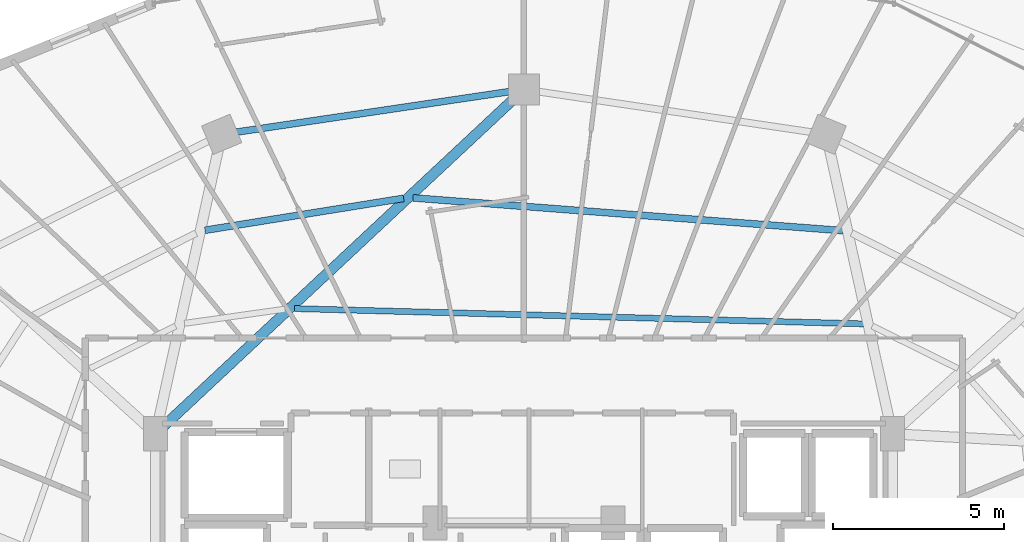
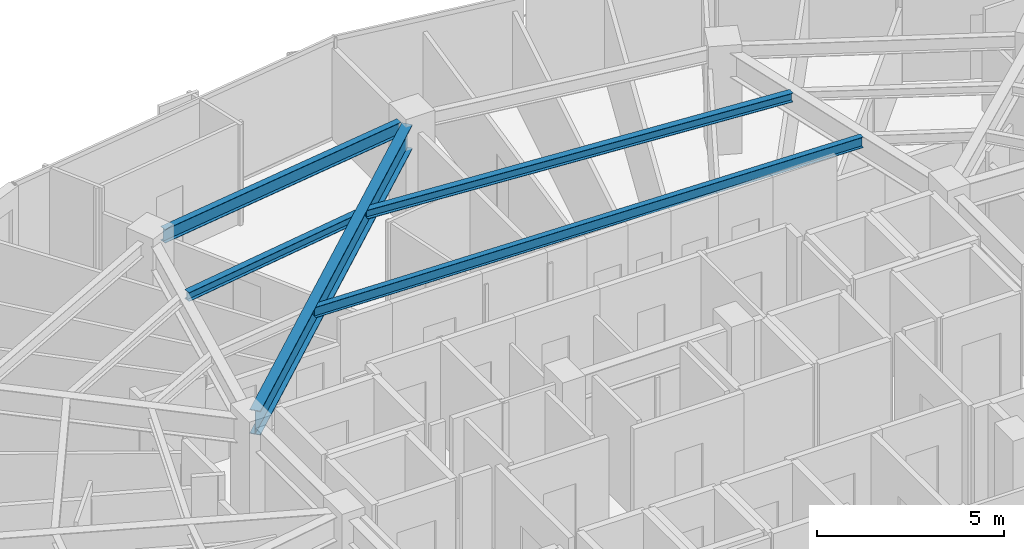
# One storey, part 18 of 33: 5 beams.
"""IFC4 building model written with IfcOpenShell, lengths in metres."""

from ifc_helpers import new_model, si_unit, direction, frame, origin, origin_2d, place, context, subcontext, project, spatial, i_section, extrude, material, material_profile, profile_set, type_object, element, save


model = new_model("IFC4")

# Units and contexts
model_context = context("Model", 3, precision=1e-05, world=origin(), true_north=direction((0.0, 1.0)))
body_context = subcontext(model_context, "Body", "Model", "MODEL_VIEW")
ifc_project = project(units=[si_unit("LENGTHUNIT", "METRE"), si_unit("AREAUNIT", "SQUARE_METRE"), si_unit("VOLUMEUNIT", "CUBIC_METRE"), si_unit("PLANEANGLEUNIT", "RADIAN"), si_unit("MASSUNIT", "GRAM", prefix="KILO")], contexts=[model_context])

# Site, building, storey
site_placement = place(None, origin())
site = spatial("IfcSite", under=ifc_project, at=site_placement, CompositionType="ELEMENT")
building_placement = place(site_placement, origin())
building = spatial("IfcBuilding", under=site, at=building_placement, Name="Vorneva Point Tower", CompositionType="ELEMENT")
storey_placement = place(building_placement, frame((0.0, 0.0, 217.85009765625)))
storey = spatial("IfcBuildingStorey", under=building, at=storey_placement, Name="L59", CompositionType="ELEMENT", Elevation=217.85009765625)

# Beams
ifc_material = material(Name="Steel S355", Category="steel")
ifc_material_profile_1 = material_profile(ifc_material, i_section(OverallWidth=0.300048828125, OverallDepth=0.7880859375, WebThickness=0.014404296875, FlangeThickness=0.02197265625, at=origin_2d()), Name="80Sh1")
ifc_profile_set_1 = profile_set([ifc_material_profile_1], Name="Steel S355")
beam_type_1 = type_object("IfcBeamType", Name="BM-GRD-80Sh1", PredefinedType="USERDEFINED", material=ifc_profile_set_1)
beam_1_placement = place(storey_placement, frame((37.679931640625, 42.90087890625, 2.89599609375), z_axis=(-0.730484767146, -0.682928989696, 0.0), x_axis=(0.682928989696, -0.730484767146, 0.0)))
element("IfcBeam", 1, at=beam_1_placement, inside=storey, type_object=beam_type_1, Name="L59 Radial Primary Girder 05", ObjectType="GIRDER", PredefinedType="USERDEFINED", context=body_context, shape_type="SweptSolid", body=[
    extrude(i_section(OverallWidth=0.300048828125, OverallDepth=0.7880859375, WebThickness=0.014404296875, FlangeThickness=0.02197265625, at=origin_2d()), origin(), (0.0, 0.0, 1.0), 13.938232421875),
])
ifc_material_profile_2 = material_profile(ifc_material, i_section(OverallWidth=0.199951171875, OverallDepth=0.291015625, WebThickness=0.008056640625, FlangeThickness=0.010986328125, at=origin_2d()), Name="30Sh1")
ifc_profile_set_2 = profile_set([ifc_material_profile_2], Name="Steel S355")
beam_type_2 = type_object("IfcBeamType", Name="BM-SEC-30Sh1", PredefinedType="BEAM", material=ifc_profile_set_2)
beam_2_placement = place(storey_placement, frame((47.30615234375, 39.0791015625, 3.144287109375), z_axis=(-0.99710914337, 0.075982604646, 0.0), x_axis=(-0.075982604646, -0.99710914337, 0.0)))
element("IfcBeam", 2, at=beam_2_placement, inside=storey, type_object=beam_type_2, Name="L59 Secondary Floor Beam 1.04", PredefinedType="BEAM", context=body_context, shape_type="SweptSolid", body=[
    extrude(i_section(OverallWidth=0.199951171875, OverallDepth=0.291015625, WebThickness=0.008056640625, FlangeThickness=0.010986328125, at=origin_2d()), origin(), (0.0, 0.0, 1.0), 12.579345703125),
])
beam_3_placement = place(storey_placement, frame((34.4892578125, 40.0234375, 3.144287109375), z_axis=(-0.987297778526, -0.15888076195, 0.0), x_axis=(0.15888076195, -0.987297778526, 0.0)))
element("IfcBeam", 3, at=beam_3_placement, inside=storey, type_object=beam_type_2, Name="L59 Secondary Floor Beam 1.05", PredefinedType="BEAM", context=body_context, shape_type="SweptSolid", body=[
    extrude(i_section(OverallWidth=0.199951171875, OverallDepth=0.291015625, WebThickness=0.008056640625, FlangeThickness=0.010986328125, at=origin_2d()), origin(), (0.0, 0.0, 1.0), 5.871337890625),
])
ifc_material_profile_3 = material_profile(ifc_material, i_section(OverallWidth=0.174072265625, OverallDepth=0.345947265625, WebThickness=0.006103515625, FlangeThickness=0.009033203125, at=origin_2d()), Name="35B1")
ifc_profile_set_3 = profile_set([ifc_material_profile_3], Name="Steel S355")
beam_type_3 = type_object("IfcBeamType", Name="BM-SEC-35B1", PredefinedType="BEAM", material=ifc_profile_set_3)
beam_4_placement = place(storey_placement, frame((47.904541015625, 36.35888671875, 3.116943359375), z_axis=(-0.999638918345, 0.026870670432, 0.0), x_axis=(-0.026870670432, -0.999638918345, 0.0)))
element("IfcBeam", 4, at=beam_4_placement, inside=storey, type_object=beam_type_3, Name="L59 Secondary Floor Beam 2.04", PredefinedType="BEAM", context=body_context, shape_type="SweptSolid", body=[
    extrude(i_section(OverallWidth=0.174072265625, OverallDepth=0.345947265625, WebThickness=0.006103515625, FlangeThickness=0.009033203125, at=origin_2d()), origin(), (0.0, 0.0, 1.0), 16.60888671875),
])
ifc_material_profile_4 = material_profile(ifc_material, i_section(OverallWidth=0.198974609375, OverallDepth=0.446044921875, WebThickness=0.008056640625, FlangeThickness=0.011962890625, at=origin_2d()), Name="45B1")
ifc_profile_set_4 = profile_set([ifc_material_profile_4], Name="Steel S355")
beam_type_4 = type_object("IfcBeamType", Name="BM-SPN-45B1", PredefinedType="SPANDREL", material=ifc_profile_set_4)
beam_5_placement = place(storey_placement, frame((37.569580078125, 43.135986328125, 3.06689453125), z_axis=(-0.989165476332, -0.146804837907, 0.0), x_axis=(0.146804837907, -0.989165476332, 0.0)))
element("IfcBeam", 5, at=beam_5_placement, inside=storey, type_object=beam_type_4, Name="L59 Perimeter Spandrel Ring Beam 05", PredefinedType="SPANDREL", context=body_context, shape_type="SweptSolid", body=[
    extrude(i_section(OverallWidth=0.198974609375, OverallDepth=0.446044921875, WebThickness=0.008056640625, FlangeThickness=0.011962890625, at=origin_2d()), origin(), (0.0, 0.0, 1.0), 8.04736328125),
])

save(model, "model.ifc")
